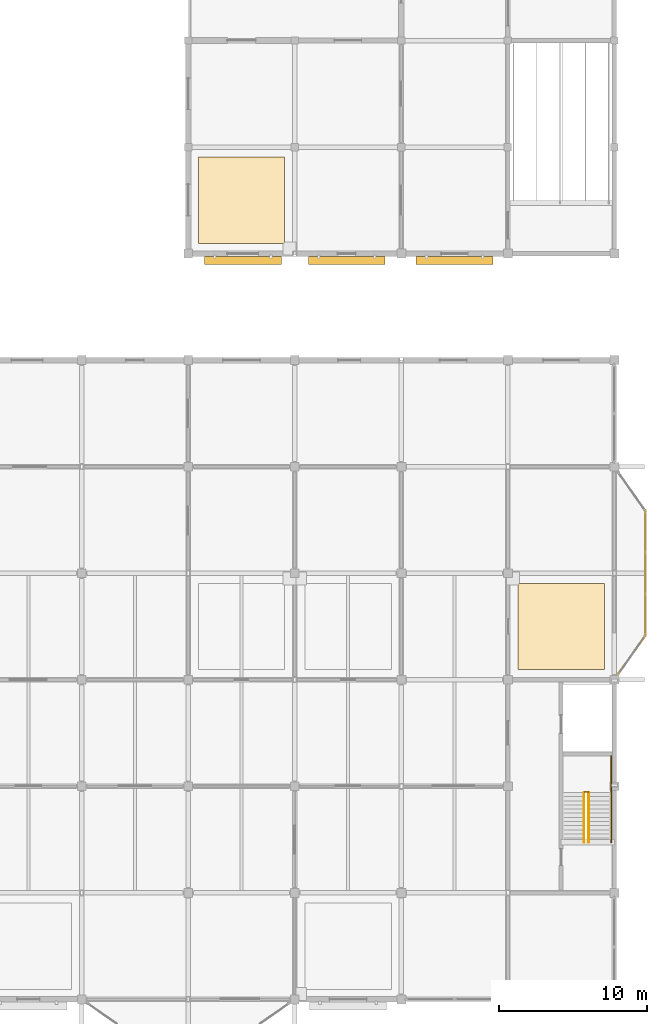
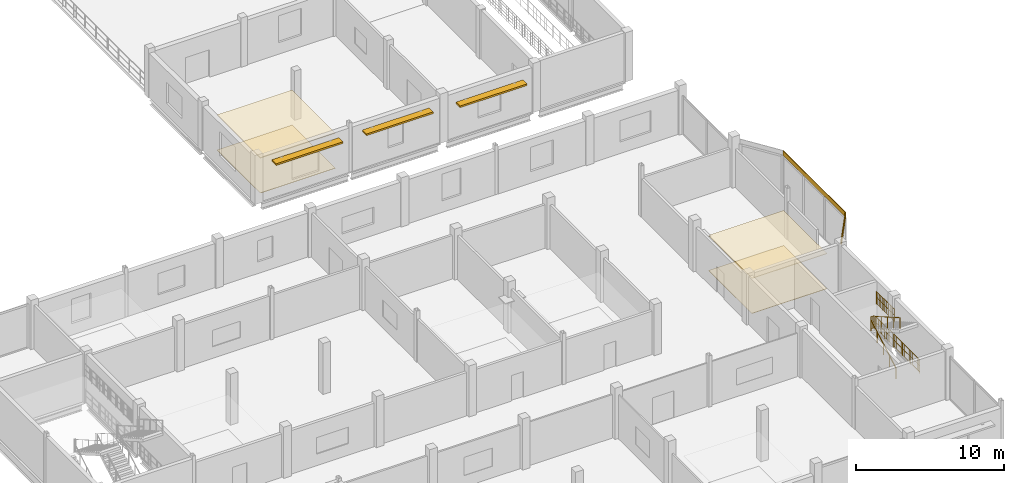
# One storey, part 45 of 51: 6 coverings, 5 railings, 3 shading devices.
"""IFC4 building model written with IfcOpenShell, lengths in metres."""

from ifc_helpers import new_model, si_unit, direction, frame, frame_2d, origin, origin_2d, place, context, subcontext, project, spatial, polyline, rectangle, circle, outline, extrude, material, layer, layer_set, type_object, element, save


model = new_model("IFC4")

# Units and contexts
model_context = context("Model", 3, precision=1e-05, world=origin(), true_north=direction((0.0, 1.0)))
body_context = subcontext(model_context, "Body", "Model", "MODEL_VIEW")
ifc_project = project(units=[si_unit("LENGTHUNIT", "METRE"), si_unit("AREAUNIT", "SQUARE_METRE"), si_unit("VOLUMEUNIT", "CUBIC_METRE"), si_unit("PLANEANGLEUNIT", "RADIAN"), si_unit("MASSUNIT", "GRAM", prefix="KILO")], contexts=[model_context])

# Site, building, storey
site_placement = place(None, origin())
site = spatial("IfcSite", under=ifc_project, at=site_placement, CompositionType="ELEMENT")
building_placement = place(site_placement, origin())
building = spatial("IfcBuilding", under=site, at=building_placement, Name="Vesperath Aquatics Centre", CompositionType="ELEMENT")
storey_placement = place(building_placement, frame((0.0, 0.0, 15.0)))
storey = spatial("IfcBuildingStorey", under=building, at=storey_placement, Name="L03", CompositionType="ELEMENT", Elevation=15.0)

# Coverings
ifc_material_1 = material(Name="Teal and ochre glazed ceramic majolica frieze", Category="ceramic")
ifc_layer_1 = layer(ifc_material_1, 0.0400390625)
ifc_layer_set_1 = layer_set([ifc_layer_1], Name="Teal and ochre glazed ceramic majolica frieze")
covering_type_1 = type_object("IfcCoveringType", Name="CV-CLD01", PredefinedType="CLADDING", material=ifc_layer_set_1)
covering_1_placement = place(storey_placement, frame((173.06591796875, 21.97998046875, 3.5400390625), z_axis=(0.0, 0.0, 1.0), x_axis=(0.57344185109, 0.819246265428, 0.0)))
element("IfcCovering", 1, at=covering_1_placement, inside=storey, type_object=covering_type_1, Name="East Bow Oriel Majolica Frieze CLD1 L03-S", PredefinedType="CLADDING", context=body_context, shape_type="SweptSolid", body=[
    extrude(rectangle(XDim=3.1982421875, YDim=0.050048828125, at=frame_2d((1.59912109375, 0.0))), origin(), (0.0, 0.0, 1.0), 0.3798828125),
])
covering_2_placement = place(storey_placement, frame((174.89990234375, 24.60009765625, 3.5400390625), z_axis=(0.0, 0.0, 1.0), x_axis=(0.0, 1.0, 0.0)))
element("IfcCovering", 2, at=covering_2_placement, inside=storey, type_object=covering_type_1, Name="East Bow Oriel Majolica Frieze CLD1 L03-C", PredefinedType="CLADDING", context=body_context, shape_type="SweptSolid", body=[
    extrude(rectangle(XDim=8.39990234375, YDim=0.050048828125, at=frame_2d((4.199951171875, 0.0))), origin(), (0.0, 0.0, 1.0), 0.3798828125),
])
ifc_material_2 = material(Name="Perforated moisture-resistant acoustic mineral-fibre ceiling", Category="gypsum")
ifc_layer_2 = layer(ifc_material_2, 0.044921875)
ifc_layer_set_2 = layer_set([ifc_layer_2], Name="Perforated moisture-resistant acoustic mineral-fibre ceiling")
covering_type_2 = type_object("IfcCoveringType", Name="CV-CLG01", PredefinedType="CEILING", material=ifc_layer_set_2)
covering_3_placement = place(storey_placement, frame((0.0, 0.0, 2.875)))
element("IfcCovering", 3, at=covering_3_placement, inside=storey, type_object=covering_type_2, Name="Acoustic Suspended Ceiling CLG1 L03_AWC", PredefinedType="CEILING", context=body_context, shape_type="SweptSolid", body=[
    extrude(outline(polyline([(166.280029296875, 22.280029296875), (172.1201171875, 22.280029296875), (172.1201171875, 28.1201171875), (166.280029296875, 28.1201171875), (166.280029296875, 22.280029296875)])), origin(), (0.0, 0.0, 1.0), 0.044921875),
])
covering_4_placement = place(storey_placement, frame((0.0, 0.0, 2.875)))
element("IfcCovering", 4, at=covering_4_placement, inside=storey, type_object=covering_type_2, Name="Acoustic Suspended Ceiling CLG1 L03_TEA_SALON", PredefinedType="CEILING", context=body_context, shape_type="SweptSolid", body=[
    extrude(outline(polyline([(144.679931640625, 51.080078125), (150.52001953125, 51.080078125), (150.52001953125, 56.919921875), (144.679931640625, 56.919921875), (144.679931640625, 51.080078125)])), origin(), (0.0, 0.0, 1.0), 0.044921875),
])
ifc_material_3 = material(Name="Slip-resistant vitrified ceramic and terrazzo flooring", Category="ceramic")
ifc_layer_3 = layer(ifc_material_3, 0.030029296875)
ifc_layer_set_3 = layer_set([ifc_layer_3], Name="Slip-resistant vitrified ceramic and terrazzo flooring")
covering_type_3 = type_object("IfcCoveringType", Name="CV-FLR01", PredefinedType="FLOORING", material=ifc_layer_set_3)
covering_5_placement = place(storey_placement, origin())
element("IfcCovering", 5, at=covering_5_placement, inside=storey, type_object=covering_type_3, Name="Slip-Resistant Floor Finish FLR1 L03_AWC", PredefinedType="FLOORING", context=body_context, shape_type="SweptSolid", body=[
    extrude(outline(polyline([(166.280029296875, 22.280029296875), (172.1201171875, 22.280029296875), (172.1201171875, 28.1201171875), (166.280029296875, 28.1201171875), (166.280029296875, 22.280029296875)])), origin(), (0.0, 0.0, 1.0), 0.030029296875),
])
covering_6_placement = place(storey_placement, origin())
element("IfcCovering", 6, at=covering_6_placement, inside=storey, type_object=covering_type_3, Name="Slip-Resistant Floor Finish FLR1 L03_TEA_SALON", PredefinedType="FLOORING", context=body_context, shape_type="SweptSolid", body=[
    extrude(outline(polyline([(144.679931640625, 51.080078125), (150.52001953125, 51.080078125), (150.52001953125, 56.919921875), (144.679931640625, 56.919921875), (144.679931640625, 51.080078125)])), origin(), (0.0, 0.0, 1.0), 0.030029296875),
])

# Railings
ifc_material_4 = material(Name="Powder-coated galvanized steel safety guard", Category="steel")
railing_type_1 = type_object("IfcRailingType", Name="RL-GRD01", PredefinedType="GUARDRAIL", material=ifc_material_4)
railing_1_placement = place(storey_placement, frame((170.780029296875, 14.02001953125, 2.10009765625)))
element("IfcRailing", 7, at=railing_1_placement, inside=storey, type_object=railing_type_1, Name="Stair ST6 Half-Landing Slot Guard GR02 L03", PredefinedType="GUARDRAIL", context=body_context, shape_type="SweptSolid", body=[
    extrude(circle(Radius=0.02392578125, at=origin_2d()), frame((0.0, 0.0, 1.0859375), z_axis=(1.0, 0.0, 0.0), x_axis=(0.0, 1.0, 0.0)), (0.0, 0.0, 1.0), 0.260009765625),
    extrude(circle(Radius=0.01611328125, at=origin_2d()), frame((0.0, 0.0, 0.10009765625), z_axis=(1.0, 0.0, 0.0), x_axis=(0.0, 1.0, 0.0)), (0.0, 0.0, 1.0), 0.260009765625),
    extrude(circle(Radius=0.01611328125, at=origin_2d()), frame((0.0, 0.0, 0.610595703125), z_axis=(1.0, 0.0, 0.0), x_axis=(0.0, 1.0, 0.0)), (0.0, 0.0, 1.0), 0.260009765625),
    extrude(circle(Radius=0.009033203125, at=origin_2d()), frame((0.086669921875, 0.0, 0.10009765625)), (0.0, 0.0, 1.0), 0.9619140625),
    extrude(circle(Radius=0.009033203125, at=origin_2d()), frame((0.17333984375, 0.0, 0.10009765625)), (0.0, 0.0, 1.0), 0.9619140625),
    extrude(circle(Radius=0.02197265625, at=origin_2d()), origin(), (0.0, 0.0, 1.0), 1.0859375),
    extrude(circle(Radius=0.02197265625, at=origin_2d()), frame((0.260009765625, 0.0, 0.0)), (0.0, 0.0, 1.0), 1.0859375),
])
railing_2_placement = place(storey_placement, frame((172.580078125, 14.02001953125, 2.10009765625)))
element("IfcRailing", 8, at=railing_2_placement, inside=storey, type_object=railing_type_1, Name="Stair ST6 Half-Landing Wall Guard GR02 L03", PredefinedType="GUARDRAIL", context=body_context, shape_type="SweptSolid", body=[
    extrude(circle(Radius=0.02392578125, at=origin_2d()), frame((0.0, 0.0, 1.0859375), z_axis=(0.0, 1.0, 0.0), x_axis=(-1.0, 0.0, 0.0)), (0.0, 0.0, 1.0), 2.43994140625),
    extrude(circle(Radius=0.01611328125, at=origin_2d()), frame((0.0, 0.0, 0.10009765625), z_axis=(0.0, 1.0, 0.0), x_axis=(-1.0, 0.0, 0.0)), (0.0, 0.0, 1.0), 2.43994140625),
    extrude(circle(Radius=0.01611328125, at=origin_2d()), frame((0.0, 0.0, 0.610595703125), z_axis=(0.0, 1.0, 0.0), x_axis=(-1.0, 0.0, 0.0)), (0.0, 0.0, 1.0), 2.43994140625),
    extrude(circle(Radius=0.009033203125, at=origin_2d()), frame((0.0, 0.106201171875, 0.10009765625)), (0.0, 0.0, 1.0), 0.9619140625),
    extrude(circle(Radius=0.009033203125, at=origin_2d()), frame((0.0, 0.212158203125, 0.10009765625)), (0.0, 0.0, 1.0), 0.9619140625),
    extrude(circle(Radius=0.009033203125, at=origin_2d()), frame((0.0, 0.318359375, 0.10009765625)), (0.0, 0.0, 1.0), 0.9619140625),
    extrude(circle(Radius=0.009033203125, at=origin_2d()), frame((0.0, 0.42431640625, 0.10009765625)), (0.0, 0.0, 1.0), 0.9619140625),
    extrude(circle(Radius=0.009033203125, at=origin_2d()), frame((0.0, 0.530517578125, 0.10009765625)), (0.0, 0.0, 1.0), 0.9619140625),
    extrude(circle(Radius=0.009033203125, at=origin_2d()), frame((0.0, 0.636474609375, 0.10009765625)), (0.0, 0.0, 1.0), 0.9619140625),
    extrude(circle(Radius=0.009033203125, at=origin_2d()), frame((0.0, 0.74267578125, 0.10009765625)), (0.0, 0.0, 1.0), 0.9619140625),
    extrude(circle(Radius=0.009033203125, at=origin_2d()), frame((0.0, 0.8486328125, 0.10009765625)), (0.0, 0.0, 1.0), 0.9619140625),
    extrude(circle(Radius=0.009033203125, at=origin_2d()), frame((0.0, 0.954833984375, 0.10009765625)), (0.0, 0.0, 1.0), 0.9619140625),
    extrude(circle(Radius=0.009033203125, at=origin_2d()), frame((0.0, 1.060791015625, 0.10009765625)), (0.0, 0.0, 1.0), 0.9619140625),
    extrude(circle(Radius=0.009033203125, at=origin_2d()), frame((0.0, 1.1669921875, 0.10009765625)), (0.0, 0.0, 1.0), 0.9619140625),
    extrude(circle(Radius=0.009033203125, at=origin_2d()), frame((0.0, 1.27294921875, 0.10009765625)), (0.0, 0.0, 1.0), 0.9619140625),
    extrude(circle(Radius=0.009033203125, at=origin_2d()), frame((0.0, 1.379150390625, 0.10009765625)), (0.0, 0.0, 1.0), 0.9619140625),
    extrude(circle(Radius=0.009033203125, at=origin_2d()), frame((0.0, 1.485107421875, 0.10009765625)), (0.0, 0.0, 1.0), 0.9619140625),
    extrude(circle(Radius=0.009033203125, at=origin_2d()), frame((0.0, 1.59130859375, 0.10009765625)), (0.0, 0.0, 1.0), 0.9619140625),
    extrude(circle(Radius=0.009033203125, at=origin_2d()), frame((0.0, 1.697265625, 0.10009765625)), (0.0, 0.0, 1.0), 0.9619140625),
    extrude(circle(Radius=0.009033203125, at=origin_2d()), frame((0.0, 1.803466796875, 0.10009765625)), (0.0, 0.0, 1.0), 0.9619140625),
    extrude(circle(Radius=0.009033203125, at=origin_2d()), frame((0.0, 1.909423828125, 0.10009765625)), (0.0, 0.0, 1.0), 0.9619140625),
    extrude(circle(Radius=0.009033203125, at=origin_2d()), frame((0.0, 2.015625, 0.10009765625)), (0.0, 0.0, 1.0), 0.9619140625),
    extrude(circle(Radius=0.009033203125, at=origin_2d()), frame((0.0, 2.12158203125, 0.10009765625)), (0.0, 0.0, 1.0), 0.9619140625),
    extrude(circle(Radius=0.009033203125, at=origin_2d()), frame((0.0, 2.227783203125, 0.10009765625)), (0.0, 0.0, 1.0), 0.9619140625),
    extrude(circle(Radius=0.009033203125, at=origin_2d()), frame((0.0, 2.333740234375, 0.10009765625)), (0.0, 0.0, 1.0), 0.9619140625),
    extrude(circle(Radius=0.02197265625, at=origin_2d()), origin(), (0.0, 0.0, 1.0), 1.0859375),
    extrude(circle(Radius=0.02197265625, at=origin_2d()), frame((0.0, 0.813232421875, 0.0)), (0.0, 0.0, 1.0), 1.0859375),
    extrude(circle(Radius=0.02197265625, at=origin_2d()), frame((0.0, 1.626708984375, 0.0)), (0.0, 0.0, 1.0), 1.0859375),
    extrude(circle(Radius=0.02197265625, at=origin_2d()), frame((0.0, 2.43994140625, 0.0)), (0.0, 0.0, 1.0), 1.0859375),
])
railing_3_placement = place(storey_placement, frame((172.580078125, 10.60009765625, 0.0)))
element("IfcRailing", 9, at=railing_3_placement, inside=storey, type_object=railing_type_1, Name="Stair ST6 Shaft Side Guard GR02 L03", PredefinedType="GUARDRAIL", context=body_context, shape_type="SweptSolid", body=[
    extrude(circle(Radius=0.02392578125, at=origin_2d()), frame((0.0, 0.0, 1.0859375), z_axis=(0.0, 1.0, 0.0), x_axis=(-1.0, 0.0, 0.0)), (0.0, 0.0, 1.0), 5.83984375),
    extrude(circle(Radius=0.01611328125, at=origin_2d()), frame((0.0, 0.0, 0.10009765625), z_axis=(0.0, 1.0, 0.0), x_axis=(-1.0, 0.0, 0.0)), (0.0, 0.0, 1.0), 5.83984375),
    extrude(circle(Radius=0.01611328125, at=origin_2d()), frame((0.0, 0.0, 0.610595703125), z_axis=(0.0, 1.0, 0.0), x_axis=(-1.0, 0.0, 0.0)), (0.0, 0.0, 1.0), 5.83984375),
    extrude(circle(Radius=0.009033203125, at=origin_2d()), frame((0.0, 0.108154296875, 0.10009765625)), (0.0, 0.0, 1.0), 0.9619140625),
    extrude(circle(Radius=0.009033203125, at=origin_2d()), frame((0.0, 0.324462890625, 0.10009765625)), (0.0, 0.0, 1.0), 0.9619140625),
    extrude(circle(Radius=0.009033203125, at=origin_2d()), frame((0.0, 0.540771484375, 0.10009765625)), (0.0, 0.0, 1.0), 0.9619140625),
    extrude(circle(Radius=0.009033203125, at=origin_2d()), frame((0.0, 0.757080078125, 0.10009765625)), (0.0, 0.0, 1.0), 0.9619140625),
    extrude(circle(Radius=0.009033203125, at=origin_2d()), frame((0.0, 0.973388671875, 0.10009765625)), (0.0, 0.0, 1.0), 0.9619140625),
    extrude(circle(Radius=0.009033203125, at=origin_2d()), frame((0.0, 1.189697265625, 0.10009765625)), (0.0, 0.0, 1.0), 0.9619140625),
    extrude(circle(Radius=0.009033203125, at=origin_2d()), frame((0.0, 1.406005859375, 0.10009765625)), (0.0, 0.0, 1.0), 0.9619140625),
    extrude(circle(Radius=0.009033203125, at=origin_2d()), frame((0.0, 1.6220703125, 0.10009765625)), (0.0, 0.0, 1.0), 0.9619140625),
    extrude(circle(Radius=0.009033203125, at=origin_2d()), frame((0.0, 1.83837890625, 0.10009765625)), (0.0, 0.0, 1.0), 0.9619140625),
    extrude(circle(Radius=0.009033203125, at=origin_2d()), frame((0.0, 2.0546875, 0.10009765625)), (0.0, 0.0, 1.0), 0.9619140625),
    extrude(circle(Radius=0.009033203125, at=origin_2d()), frame((0.0, 2.27099609375, 0.10009765625)), (0.0, 0.0, 1.0), 0.9619140625),
    extrude(circle(Radius=0.009033203125, at=origin_2d()), frame((0.0, 2.4873046875, 0.10009765625)), (0.0, 0.0, 1.0), 0.9619140625),
    extrude(circle(Radius=0.009033203125, at=origin_2d()), frame((0.0, 2.70361328125, 0.10009765625)), (0.0, 0.0, 1.0), 0.9619140625),
    extrude(circle(Radius=0.009033203125, at=origin_2d()), frame((0.0, 2.919921875, 0.10009765625)), (0.0, 0.0, 1.0), 0.9619140625),
    extrude(circle(Radius=0.009033203125, at=origin_2d()), frame((0.0, 3.13623046875, 0.10009765625)), (0.0, 0.0, 1.0), 0.9619140625),
    extrude(circle(Radius=0.009033203125, at=origin_2d()), frame((0.0, 3.3525390625, 0.10009765625)), (0.0, 0.0, 1.0), 0.9619140625),
    extrude(circle(Radius=0.009033203125, at=origin_2d()), frame((0.0, 3.56884765625, 0.10009765625)), (0.0, 0.0, 1.0), 0.9619140625),
    extrude(circle(Radius=0.009033203125, at=origin_2d()), frame((0.0, 3.78515625, 0.10009765625)), (0.0, 0.0, 1.0), 0.9619140625),
    extrude(circle(Radius=0.009033203125, at=origin_2d()), frame((0.0, 4.00146484375, 0.10009765625)), (0.0, 0.0, 1.0), 0.9619140625),
    extrude(circle(Radius=0.009033203125, at=origin_2d()), frame((0.0, 4.2177734375, 0.10009765625)), (0.0, 0.0, 1.0), 0.9619140625),
    extrude(circle(Radius=0.009033203125, at=origin_2d()), frame((0.0, 4.433837890625, 0.10009765625)), (0.0, 0.0, 1.0), 0.9619140625),
    extrude(circle(Radius=0.009033203125, at=origin_2d()), frame((0.0, 4.650146484375, 0.10009765625)), (0.0, 0.0, 1.0), 0.9619140625),
    extrude(circle(Radius=0.009033203125, at=origin_2d()), frame((0.0, 4.866455078125, 0.10009765625)), (0.0, 0.0, 1.0), 0.9619140625),
    extrude(circle(Radius=0.009033203125, at=origin_2d()), frame((0.0, 5.082763671875, 0.10009765625)), (0.0, 0.0, 1.0), 0.9619140625),
    extrude(circle(Radius=0.009033203125, at=origin_2d()), frame((0.0, 5.299072265625, 0.10009765625)), (0.0, 0.0, 1.0), 0.9619140625),
    extrude(circle(Radius=0.009033203125, at=origin_2d()), frame((0.0, 5.515380859375, 0.10009765625)), (0.0, 0.0, 1.0), 0.9619140625),
    extrude(circle(Radius=0.009033203125, at=origin_2d()), frame((0.0, 5.731689453125, 0.10009765625)), (0.0, 0.0, 1.0), 0.9619140625),
    extrude(circle(Radius=0.02197265625, at=origin_2d()), origin(), (0.0, 0.0, 1.0), 1.0859375),
    extrude(circle(Radius=0.02197265625, at=origin_2d()), frame((0.0, 1.16796875, 0.0)), (0.0, 0.0, 1.0), 1.0859375),
    extrude(circle(Radius=0.02197265625, at=origin_2d()), frame((0.0, 2.3359375, 0.0)), (0.0, 0.0, 1.0), 1.0859375),
    extrude(circle(Radius=0.02197265625, at=origin_2d()), frame((0.0, 3.50390625, 0.0)), (0.0, 0.0, 1.0), 1.0859375),
    extrude(circle(Radius=0.02197265625, at=origin_2d()), frame((0.0, 4.671875, 0.0)), (0.0, 0.0, 1.0), 1.0859375),
    extrude(circle(Radius=0.02197265625, at=origin_2d()), frame((0.0, 5.83984375, 0.0)), (0.0, 0.0, 1.0), 1.0859375),
])
ifc_material_5 = material(Name="Brushed stainless steel tubular handrail", Category="steel")
railing_type_2 = type_object("IfcRailingType", Name="RL-HND01", PredefinedType="HANDRAIL", material=ifc_material_5)
railing_4_placement = place(storey_placement, frame((170.75, 10.6201171875, 0.16162109375)))
element("IfcRailing", 10, at=railing_4_placement, inside=storey, type_object=railing_type_2, Name="Stair ST6 Flight 1 Handrail HR01 L03", PredefinedType="HANDRAIL", context=body_context, shape_type="SweptSolid", body=[
    extrude(circle(Radius=0.02392578125, at=origin_2d()), frame((0.0, 0.0, 0.8759765625), z_axis=(0.0, 0.866175107563, 0.499740615757), x_axis=(-1.0, 0.0, 0.0)), (0.0, 0.0, 1.0), 3.87890625),
    extrude(circle(Radius=0.02197265625, at=origin_2d()), origin(), (0.0, 0.0, 1.0), 0.8759765625),
    extrude(circle(Radius=0.02197265625, at=origin_2d()), frame((0.0, 0.83984375, 0.484619140625)), (0.0, 0.0, 1.0), 0.8759765625),
    extrude(circle(Radius=0.02197265625, at=origin_2d()), frame((0.0, 1.679931640625, 0.96923828125)), (0.0, 0.0, 1.0), 0.8759765625),
    extrude(circle(Radius=0.02197265625, at=origin_2d()), frame((0.0, 2.52001953125, 1.453857421875)), (0.0, 0.0, 1.0), 0.8759765625),
    extrude(circle(Radius=0.02197265625, at=origin_2d()), frame((0.0, 3.35986328125, 1.9384765625)), (0.0, 0.0, 1.0), 0.8759765625),
])
railing_5_placement = place(storey_placement, frame((171.070068359375, 13.97998046875, 2.261474609375)))
element("IfcRailing", 11, at=railing_5_placement, inside=storey, type_object=railing_type_2, Name="Stair ST6 Flight 2 Handrail HR01 L03", PredefinedType="HANDRAIL", context=body_context, shape_type="SweptSolid", body=[
    extrude(circle(Radius=0.02392578125, at=origin_2d()), frame((0.0, 0.0, 0.8759765625), z_axis=(0.0, -0.866175107563, 0.499740615757), x_axis=(1.0, 0.0, 0.0)), (0.0, 0.0, 1.0), 3.87890625),
    extrude(circle(Radius=0.02197265625, at=origin_2d()), origin(), (0.0, 0.0, 1.0), 0.8759765625),
    extrude(circle(Radius=0.02197265625, at=origin_2d()), frame((0.0, -0.83984375, 0.484619140625)), (0.0, 0.0, 1.0), 0.8759765625),
    extrude(circle(Radius=0.02197265625, at=origin_2d()), frame((0.0, -1.679931640625, 0.96923828125)), (0.0, 0.0, 1.0), 0.8759765625),
    extrude(circle(Radius=0.02197265625, at=origin_2d()), frame((0.0, -2.52001953125, 1.453857421875)), (0.0, 0.0, 1.0), 0.8759765625),
    extrude(circle(Radius=0.02197265625, at=origin_2d()), frame((0.0, -3.35986328125, 1.9384765625)), (0.0, 0.0, 1.0), 0.8759765625),
])

# Shading devices
ifc_material_6 = material(Name="Anodised bronze aluminium solar brise-soleil", Category="aluminium")
shading_device_type = type_object("IfcShadingDeviceType", Name="SH-LVR01", PredefinedType="JALOUSIE", material=ifc_material_6)
for number, where, z_axis, x_axis, name in (
    (12, (147.6875, 49.945068359375, 3.0), (0.0, 0.0, 1.0), (1.0, 0.0, 0.0), "Bronze Solar Brise-Soleil LV01 L03_S_20_07"),
    (13, (154.71240234375, 49.93505859375, 3.0), (0.0, 0.0, 1.0), (1.0, 0.0, 0.0), "Bronze Solar Brise-Soleil LV01 L03_S_21_07"),
    (14, (162.0, 49.93505859375, 2.75), (0.0, 0.0, 1.0), (1.0, 0.0, 0.0), "Bronze Solar Brise-Soleil LV01 L03_S_22_07"),
):
    element("IfcShadingDevice", number, at=place(storey_placement, frame(where, z_axis=z_axis, x_axis=x_axis)), inside=storey, type_object=shading_device_type, Name=name, PredefinedType="JALOUSIE", context=body_context, shape_type="SweptSolid", body=[
        extrude(rectangle(XDim=5.199951171875, YDim=0.550048828125, at=origin_2d()), origin(), (0.0, 0.0, 1.0), 0.139892578125),
    ])

save(model, "model.ifc")
